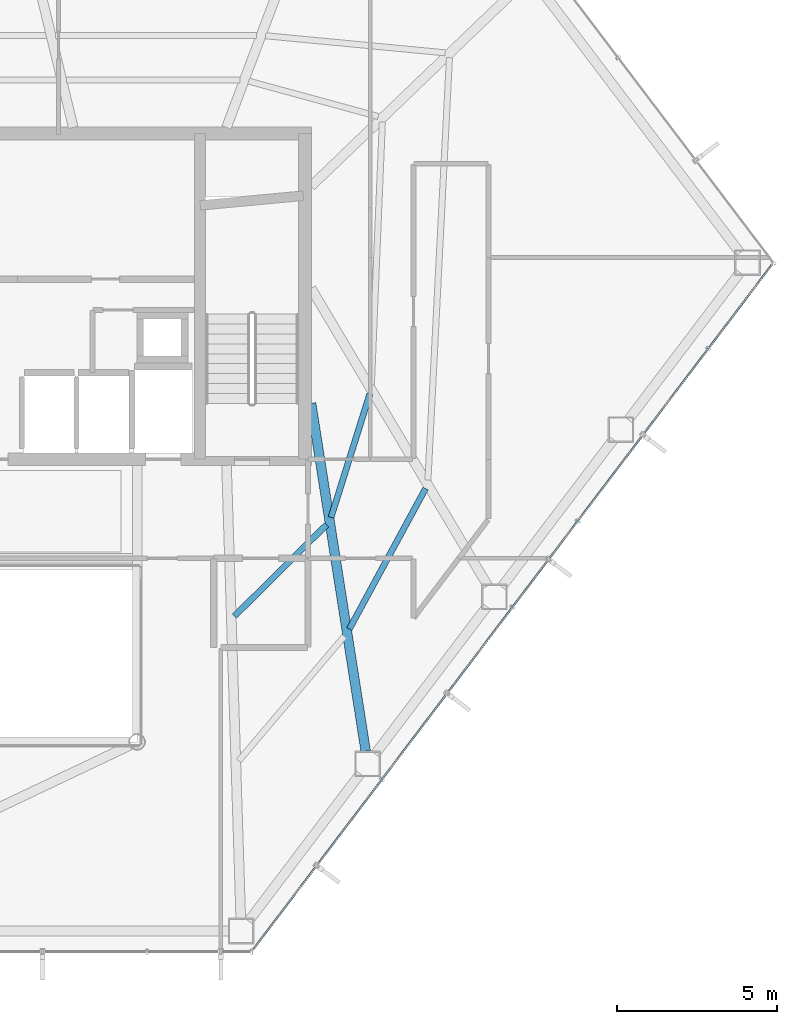
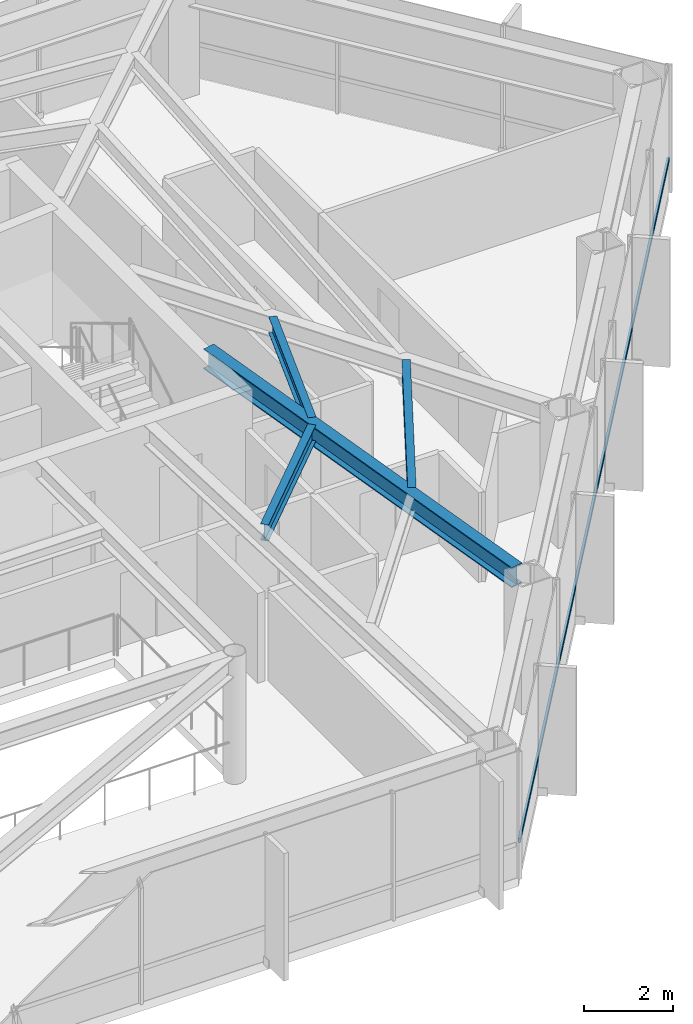
# One storey, part 18 of 28: 4 beams, 1 member, 1 element without a shape of its own.
"""IFC4 building model written with IfcOpenShell, lengths in metres."""

from ifc_helpers import new_model, si_unit, direction, frame, origin, origin_2d, place, context, subcontext, project, spatial, hollow_rectangle, i_section, extrude, material, layer, layer_set, material_profile, profile_set, type_object, element, aggregate, save


model = new_model("IFC4")

# Units and contexts
model_context = context("Model", 3, precision=1e-05, world=origin(), true_north=direction((0.0, 1.0)))
body_context = subcontext(model_context, "Body", "Model", "MODEL_VIEW")
ifc_project = project(units=[si_unit("LENGTHUNIT", "METRE"), si_unit("AREAUNIT", "SQUARE_METRE"), si_unit("VOLUMEUNIT", "CUBIC_METRE"), si_unit("PLANEANGLEUNIT", "RADIAN"), si_unit("MASSUNIT", "GRAM", prefix="KILO")], contexts=[model_context])

# Site, building, storey
site_placement = place(None, origin())
site = spatial("IfcSite", under=ifc_project, at=site_placement, CompositionType="ELEMENT")
building_placement = place(site_placement, origin())
building = spatial("IfcBuilding", under=site, at=building_placement, Name="Zarrinselat Tower", CompositionType="ELEMENT")
storey_placement = place(building_placement, frame((0.0, 0.0, 149.60009765625)))
storey = spatial("IfcBuildingStorey", under=building, at=storey_placement, Name="L36", CompositionType="ELEMENT", Elevation=149.60009765625)

# Beams
ifc_material_1 = material(Name="Steel S355J2", Category="steel")
ifc_material_profile_1 = material_profile(ifc_material_1, i_section(OverallWidth=0.300048828125, OverallDepth=0.550048828125, WebThickness=0.014892578125, FlangeThickness=0.029052734375, at=origin_2d()), Name="HEB 550")
ifc_profile_set_1 = profile_set([ifc_material_profile_1], Name="Steel S355J2")
beam_type_1 = type_object("IfcBeamType", Name="BM-HEB550", PredefinedType="BEAM", material=ifc_profile_set_1)
beam_1_placement = place(storey_placement, frame((48.449951171875, 35.0, 3.224853515625), z_axis=(0.154967345006, -0.987919592873, 0.0), x_axis=(0.987919592873, 0.154967345006, 0.0)))
element("IfcBeam", 1, at=beam_1_placement, inside=storey, type_object=beam_type_1, Name="L36 Radial Primary Girder RG12", PredefinedType="BEAM", context=body_context, shape_type="SweptSolid", body=[
    extrude(i_section(OverallWidth=0.300048828125, OverallDepth=0.550048828125, WebThickness=0.014892578125, FlangeThickness=0.029052734375, at=origin_2d()), origin(), (0.0, 0.0, 1.0), 11.023193359375),
])
ifc_material_2 = material(Name="Steel S355J2", Category="steel")
ifc_material_profile_2 = material_profile(ifc_material_2, i_section(OverallWidth=0.18994140625, OverallDepth=0.449951171875, WebThickness=0.009521484375, FlangeThickness=0.0146484375, at=origin_2d()), Name="IPE 450")
ifc_profile_set_2 = profile_set([ifc_material_profile_2], Name="Steel S355J2")
beam_type_2 = type_object("IfcBeamType", Name="BM-IPE450", PredefinedType="JOIST", material=ifc_profile_set_2)
beam_2_placement = place(storey_placement, frame((46.050537109375, 28.338623046875, 3.27490234375), z_axis=(0.709658133739, 0.704546189556, 0.0), x_axis=(-0.704546189556, 0.709658133739, 0.0)))
element("IfcBeam", 2, at=beam_2_placement, inside=storey, type_object=beam_type_2, Name="L36 Composite Floor Joist 3-2", PredefinedType="JOIST", context=body_context, shape_type="SweptSolid", body=[
    extrude(i_section(OverallWidth=0.18994140625, OverallDepth=0.449951171875, WebThickness=0.009521484375, FlangeThickness=0.0146484375, at=origin_2d()), origin(), (0.0, 0.0, 1.0), 4.0595703125),
])
beam_3_placement = place(storey_placement, frame((49.644287109375, 27.935546875, 3.27490234375), z_axis=(0.477230770349, 0.878778010553, 0.0), x_axis=(-0.878778010553, 0.477230770349, 0.0)))
element("IfcBeam", 3, at=beam_3_placement, inside=storey, type_object=beam_type_2, Name="L36 Composite Floor Joist 4-1", PredefinedType="JOIST", context=body_context, shape_type="SweptSolid", body=[
    extrude(i_section(OverallWidth=0.18994140625, OverallDepth=0.449951171875, WebThickness=0.009521484375, FlangeThickness=0.0146484375, at=origin_2d()), origin(), (0.0, 0.0, 1.0), 5.003173828125),
])
beam_4_placement = place(storey_placement, frame((49.07275390625, 31.430908203125, 3.27490234375), z_axis=(0.299549572909, 0.954080737343, 0.0), x_axis=(-0.954080737343, 0.299549572909, 0.0)))
element("IfcBeam", 4, at=beam_4_placement, inside=storey, type_object=beam_type_2, Name="L36 Composite Floor Joist 4-2", PredefinedType="JOIST", context=body_context, shape_type="SweptSolid", body=[
    extrude(i_section(OverallWidth=0.18994140625, OverallDepth=0.449951171875, WebThickness=0.009521484375, FlangeThickness=0.0146484375, at=origin_2d()), origin(), (0.0, 0.0, 1.0), 4.056396484375),
])

# Curtain wall, member
ifc_material_3 = material(Name="Extruded Aluminium Alloy EN AW-6063 T6", Category="aluminium")
ifc_layer = layer(ifc_material_3, 0.175048828125)
ifc_layer_set = layer_set([ifc_layer], Name="Extruded Aluminium Alloy EN AW-6063 T6")
curtain_wall_type = type_object("IfcCurtainWallType", Name="CWS-HTL", PredefinedType="NOTDEFINED", material=ifc_layer_set)
curtain_wall_placement = place(storey_placement, origin())
curtain_wall = element("IfcCurtainWall", 5, at=curtain_wall_placement, inside=storey, type_object=curtain_wall_type, Name="L36 Unitised Curtain Wall CW-L36-E05", PredefinedType="NOTDEFINED")
ifc_material_4 = material(Name="Extruded Aluminium Alloy EN AW-6063 T6", Category="aluminium")
ifc_material_profile_3 = material_profile(ifc_material_4, hollow_rectangle(XDim=0.06005859375, YDim=0.1201171875, WallThickness=0.00390625, at=origin_2d()), Name="RHS 120x60x4")
ifc_profile_set_3 = profile_set([ifc_material_profile_3], Name="Extruded Aluminium Alloy EN AW-6063 T6")
member_type = type_object("IfcMemberType", Name="MEM-CW-TRN2", PredefinedType="USERDEFINED", material=ifc_profile_set_3)
member_placement = place(storey_placement, frame((46.634765625, 17.9033203125, 0.949951171875), z_axis=(0.603858911734, 0.797091221078, 0.0), x_axis=(-0.797091221078, 0.603858911734, 0.0)))
member = element("IfcMember", 6, at=member_placement, type_object=member_type, Name="CW-L36-E05 Transom 1", ObjectType="TRANSOM", PredefinedType="USERDEFINED", context=body_context, shape_type="SweptSolid", body=[
    extrude(hollow_rectangle(XDim=0.06005859375, YDim=0.1201171875, WallThickness=0.00390625, at=origin_2d()), origin(), (0.0, 0.0, 1.0), 26.8876953125),
])
aggregate(curtain_wall, [member])

save(model, "model.ifc")
